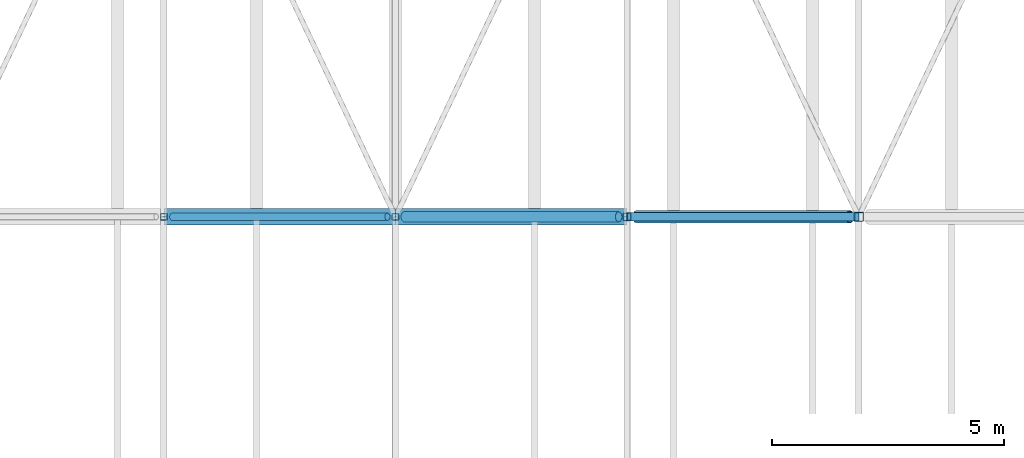
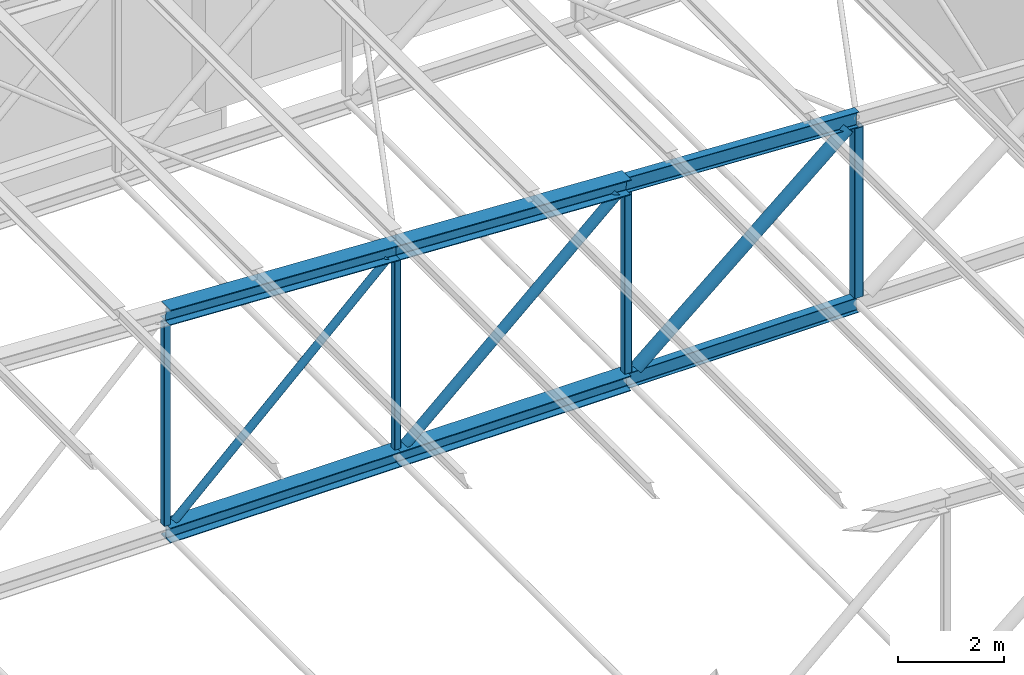
# One storey, part 125 of 156: 13 members.
"""IFC4 building model written with IfcOpenShell, lengths in metres."""

from ifc_helpers import new_model, si_unit, direction, frame, origin, origin_2d, place, context, subcontext, project, spatial, hollow_rectangle, hollow_circle, i_section, extrude, material, material_profile, profile_set, type_object, element, save


model = new_model("IFC4")

# Units and contexts
model_context = context("Model", 3, precision=1e-05, world=origin(), true_north=direction((0.0, 1.0)))
body_context = subcontext(model_context, "Body", "Model", "MODEL_VIEW")
ifc_project = project(units=[si_unit("LENGTHUNIT", "METRE"), si_unit("AREAUNIT", "SQUARE_METRE"), si_unit("VOLUMEUNIT", "CUBIC_METRE"), si_unit("PLANEANGLEUNIT", "RADIAN"), si_unit("MASSUNIT", "GRAM", prefix="KILO")], contexts=[model_context])

# Site, building, storey
site_placement = place(None, origin())
site = spatial("IfcSite", under=ifc_project, at=site_placement, CompositionType="ELEMENT")
building_placement = place(site_placement, origin())
building = spatial("IfcBuilding", under=site, at=building_placement, Name="Lilac Gate Convention Centre", CompositionType="ELEMENT")
storey_placement = place(building_placement, frame((0.0, 0.0, 17.0)))
storey = spatial("IfcBuildingStorey", under=building, at=storey_placement, Name="L03", CompositionType="ELEMENT", Elevation=17.0)

# Members
ifc_material = material(Name="Steel Q355B", Category="steel")
ifc_material_profile_1 = material_profile(ifc_material, i_section(OverallWidth=0.175048828125, OverallDepth=0.35009765625, WebThickness=0.007080078125, FlangeThickness=0.010986328125, FilletRadius=0.012939453125, at=origin_2d()), Name="HN350x175x7x11")
ifc_profile_set_1 = profile_set([ifc_material_profile_1], Name="Steel Q355B")
member_type_1 = type_object("IfcMemberType", Name="Truss bottom chord HN350x175x7x11", PredefinedType="CHORD", material=ifc_profile_set_1)
member_1_placement = place(storey_placement, frame((80.0, 210.0, 0.0), z_axis=(1.0, 0.0, 0.0), x_axis=(0.0, 1.0, 0.0)))
element("IfcMember", 1, at=member_1_placement, inside=storey, type_object=member_type_1, Name="TB1 truss 16 bottom chord 11", PredefinedType="CHORD", context=body_context, shape_type="SweptSolid", body=[
    extrude(i_section(OverallWidth=0.175048828125, OverallDepth=0.35009765625, WebThickness=0.007080078125, FlangeThickness=0.010986328125, FilletRadius=0.012939453125, at=origin_2d()), origin(), (0.0, 0.0, 1.0), 5.0),
])
ifc_material_profile_2 = material_profile(ifc_material, i_section(OverallWidth=0.35009765625, OverallDepth=0.35009765625, WebThickness=0.011962890625, FlangeThickness=0.01904296875, FilletRadius=0.012939453125, at=origin_2d()), Name="HW350x350x12x19")
ifc_profile_set_2 = profile_set([ifc_material_profile_2], Name="Steel Q355B")
member_type_2 = type_object("IfcMemberType", Name="Truss bottom chord HW350x350x12x19", PredefinedType="CHORD", material=ifc_profile_set_2)
for number, where, z_axis, x_axis, name in (
    (2, (70.0, 210.0, 0.0), (1.0, 0.0, 0.0), (0.0, 1.0, 0.0), "TB2 truss 16 bottom chord 9"),
    (3, (75.0, 210.0, 0.0), (1.0, 0.0, 0.0), (0.0, 1.0, 0.0), "TB2 truss 16 bottom chord 10"),
):
    element("IfcMember", number, at=place(storey_placement, frame(where, z_axis=z_axis, x_axis=x_axis)), inside=storey, type_object=member_type_2, Name=name, PredefinedType="CHORD", context=body_context, shape_type="SweptSolid", body=[
        extrude(i_section(OverallWidth=0.35009765625, OverallDepth=0.35009765625, WebThickness=0.011962890625, FlangeThickness=0.01904296875, FilletRadius=0.012939453125, at=origin_2d()), origin(), (0.0, 0.0, 1.0), 5.0),
    ])
ifc_material_profile_3 = material_profile(ifc_material, hollow_circle(Radius=0.084228515625, WallThickness=0.006103515625, at=origin_2d()), Name="CHS168.3x6")
ifc_profile_set_3 = profile_set([ifc_material_profile_3], Name="Steel Q355B")
member_type_3 = type_object("IfcMemberType", Name="Truss diagonal CHS168.3x6", PredefinedType="BRACE", material=ifc_profile_set_3)
member_2_placement = place(storey_placement, frame((74.8271484375, 210.0, 4.585693359375), z_axis=(-0.725020373275, 0.0, -0.688727419475), x_axis=(0.0, -1.0, 0.0)))
element("IfcMember", 4, at=member_2_placement, inside=storey, type_object=member_type_3, Name="TW4 truss 16 diagonal 9", PredefinedType="BRACE", context=body_context, shape_type="SweptSolid", body=[
    extrude(hollow_circle(Radius=0.084228515625, WallThickness=0.006103515625, at=origin_2d()), origin(), (0.0, 0.0, 1.0), 6.404052734375),
])
ifc_material_profile_4 = material_profile(ifc_material, hollow_circle(Radius=0.109619140625, WallThickness=0.008056640625, at=origin_2d()), Name="CHS219.1x8")
ifc_profile_set_4 = profile_set([ifc_material_profile_4], Name="Steel Q355B")
member_type_4 = type_object("IfcMemberType", Name="Truss diagonal CHS219.1x8", PredefinedType="BRACE", material=ifc_profile_set_4)
member_3_placement = place(storey_placement, frame((79.8173828125, 210.0, 4.335693359375), z_axis=(-0.743301953498, 0.0, -0.668956056797), x_axis=(0.0, -1.0, 0.0)))
element("IfcMember", 5, at=member_3_placement, inside=storey, type_object=member_type_4, Name="TW3 truss 16 diagonal 10", PredefinedType="BRACE", context=body_context, shape_type="SweptSolid", body=[
    extrude(hollow_circle(Radius=0.109619140625, WallThickness=0.008056640625, at=origin_2d()), origin(), (0.0, 0.0, 1.0), 6.2197265625),
])
ifc_material_profile_5 = material_profile(ifc_material, hollow_circle(Radius=0.136474609375, WallThickness=0.010009765625, at=origin_2d()), Name="CHS273x10")
ifc_profile_set_5 = profile_set([ifc_material_profile_5], Name="Steel Q355B")
member_type_5 = type_object("IfcMemberType", Name="Truss diagonal CHS273x10", PredefinedType="BRACE", material=ifc_profile_set_5)
member_4_placement = place(storey_placement, frame((84.806884765625, 210.0, 4.085693359375), z_axis=(-0.761961263863, 0.0, -0.647622600263), x_axis=(0.0, -1.0, 0.0)))
element("IfcMember", 6, at=member_4_placement, inside=storey, type_object=member_type_5, Name="TW2 truss 16 diagonal 11", PredefinedType="BRACE", context=body_context, shape_type="SweptSolid", body=[
    extrude(hollow_circle(Radius=0.136474609375, WallThickness=0.010009765625, at=origin_2d()), origin(), (0.0, 0.0, 1.0), 6.03857421875),
])
ifc_material_profile_6 = material_profile(ifc_material, i_section(OverallWidth=0.175048828125, OverallDepth=0.35009765625, WebThickness=0.007080078125, FlangeThickness=0.010986328125, FilletRadius=0.012939453125, at=origin_2d()), Name="HN350x175x7x11")
ifc_profile_set_6 = profile_set([ifc_material_profile_6], Name="Steel Q355B")
member_type_6 = type_object("IfcMemberType", Name="Truss top chord HN350x175x7x11", PredefinedType="CHORD", material=ifc_profile_set_6)
member_5_placement = place(storey_placement, frame((80.0, 210.0, 4.5), z_axis=(0.998752338878, 0.0, -0.049937616944), x_axis=(0.0, 1.0, 0.0)))
element("IfcMember", 7, at=member_5_placement, inside=storey, type_object=member_type_6, Name="TT1 truss 16 top chord 11", PredefinedType="CHORD", context=body_context, shape_type="SweptSolid", body=[
    extrude(i_section(OverallWidth=0.175048828125, OverallDepth=0.35009765625, WebThickness=0.007080078125, FlangeThickness=0.010986328125, FilletRadius=0.012939453125, at=origin_2d()), origin(), (0.0, 0.0, 1.0), 5.00634765625),
])
ifc_material_profile_7 = material_profile(ifc_material, i_section(OverallWidth=0.35009765625, OverallDepth=0.35009765625, WebThickness=0.011962890625, FlangeThickness=0.01904296875, FilletRadius=0.012939453125, at=origin_2d()), Name="HW350x350x12x19")
ifc_profile_set_7 = profile_set([ifc_material_profile_7], Name="Steel Q355B")
member_type_7 = type_object("IfcMemberType", Name="Truss top chord HW350x350x12x19", PredefinedType="CHORD", material=ifc_profile_set_7)
for number, where, z_axis, x_axis, name in (
    (8, (70.0, 210.0, 5.0), (0.998752338878, 0.0, -0.049937616944), (0.0, 1.0, 0.0), "TT2 truss 16 top chord 9"),
    (9, (75.0, 210.0, 4.75), (0.998752338878, 0.0, -0.049937616944), (0.0, 1.0, 0.0), "TT2 truss 16 top chord 10"),
):
    element("IfcMember", number, at=place(storey_placement, frame(where, z_axis=z_axis, x_axis=x_axis)), inside=storey, type_object=member_type_7, Name=name, PredefinedType="CHORD", context=body_context, shape_type="SweptSolid", body=[
        extrude(i_section(OverallWidth=0.35009765625, OverallDepth=0.35009765625, WebThickness=0.011962890625, FlangeThickness=0.01904296875, FilletRadius=0.012939453125, at=origin_2d()), origin(), (0.0, 0.0, 1.0), 5.00634765625),
    ])
ifc_material_profile_8 = material_profile(ifc_material, hollow_rectangle(XDim=0.139892578125, YDim=0.139892578125, WallThickness=0.0048828125, InnerFilletRadius=0.0048828125, OuterFilletRadius=0.010009765625, at=origin_2d()), Name="SHS140x140x5")
ifc_profile_set_8 = profile_set([ifc_material_profile_8], Name="Steel Q355B")
member_type_8 = type_object("IfcMemberType", Name="Truss vertical SHS140x140x5", PredefinedType="STRUT", material=ifc_profile_set_8)
member_6_placement = place(storey_placement, frame((70.0, 210.0, 0.175048828125), z_axis=(0.0, 0.0, 1.0), x_axis=(1.0, 0.0, 0.0)))
element("IfcMember", 10, at=member_6_placement, inside=storey, type_object=member_type_8, Name="TV4 truss 16 vertical 9", PredefinedType="STRUT", context=body_context, shape_type="SweptSolid", body=[
    extrude(hollow_rectangle(XDim=0.139892578125, YDim=0.139892578125, WallThickness=0.0048828125, InnerFilletRadius=0.0048828125, OuterFilletRadius=0.010009765625, at=origin_2d()), origin(), (0.0, 0.0, 1.0), 4.649658203125),
])
member_7_placement = place(storey_placement, frame((75.0, 210.0, 0.175048828125), z_axis=(0.0, 0.0, 1.0), x_axis=(1.0, 0.0, 0.0)))
element("IfcMember", 11, at=member_7_placement, inside=storey, type_object=member_type_8, Name="TV4 truss 16 vertical 10", PredefinedType="STRUT", context=body_context, shape_type="SweptSolid", body=[
    extrude(hollow_rectangle(XDim=0.139892578125, YDim=0.139892578125, WallThickness=0.0048828125, InnerFilletRadius=0.0048828125, OuterFilletRadius=0.010009765625, at=origin_2d()), origin(), (0.0, 0.0, 1.0), 4.399658203125),
])
ifc_material_profile_9 = material_profile(ifc_material, hollow_rectangle(XDim=0.159912109375, YDim=0.159912109375, WallThickness=0.006103515625, InnerFilletRadius=0.006103515625, OuterFilletRadius=0.011962890625, at=origin_2d()), Name="SHS160x160x6")
ifc_profile_set_9 = profile_set([ifc_material_profile_9], Name="Steel Q355B")
member_type_9 = type_object("IfcMemberType", Name="Truss vertical SHS160x160x6", PredefinedType="STRUT", material=ifc_profile_set_9)
member_8_placement = place(storey_placement, frame((80.0, 210.0, 0.175048828125), z_axis=(0.0, 0.0, 1.0), x_axis=(1.0, 0.0, 0.0)))
element("IfcMember", 12, at=member_8_placement, inside=storey, type_object=member_type_9, Name="TV3 truss 16 vertical 11", PredefinedType="STRUT", context=body_context, shape_type="SweptSolid", body=[
    extrude(hollow_rectangle(XDim=0.159912109375, YDim=0.159912109375, WallThickness=0.006103515625, InnerFilletRadius=0.006103515625, OuterFilletRadius=0.011962890625, at=origin_2d()), origin(), (0.0, 0.0, 1.0), 4.149658203125),
])
ifc_material_profile_10 = material_profile(ifc_material, hollow_rectangle(XDim=0.199951171875, YDim=0.199951171875, WallThickness=0.008056640625, InnerFilletRadius=0.011962890625, OuterFilletRadius=0.02001953125, at=origin_2d()), Name="SHS200x200x8")
ifc_profile_set_10 = profile_set([ifc_material_profile_10], Name="Steel Q355B")
member_type_10 = type_object("IfcMemberType", Name="Truss vertical SHS200x200x8", PredefinedType="STRUT", material=ifc_profile_set_10)
member_9_placement = place(storey_placement, frame((85.0, 210.0, 0.175048828125), z_axis=(0.0, 0.0, 1.0), x_axis=(1.0, 0.0, 0.0)))
element("IfcMember", 13, at=member_9_placement, inside=storey, type_object=member_type_10, Name="TV2 truss 16 vertical 12", PredefinedType="STRUT", context=body_context, shape_type="SweptSolid", body=[
    extrude(hollow_rectangle(XDim=0.199951171875, YDim=0.199951171875, WallThickness=0.008056640625, InnerFilletRadius=0.011962890625, OuterFilletRadius=0.02001953125, at=origin_2d()), origin(), (0.0, 0.0, 1.0), 3.899658203125),
])

save(model, "model.ifc")
